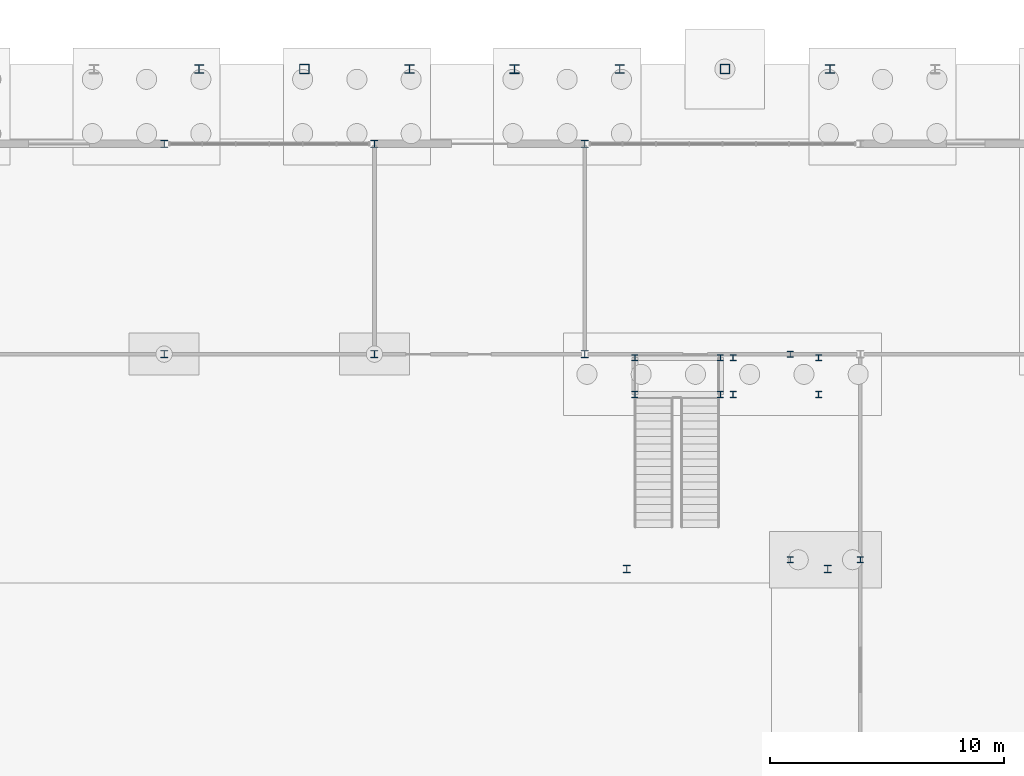
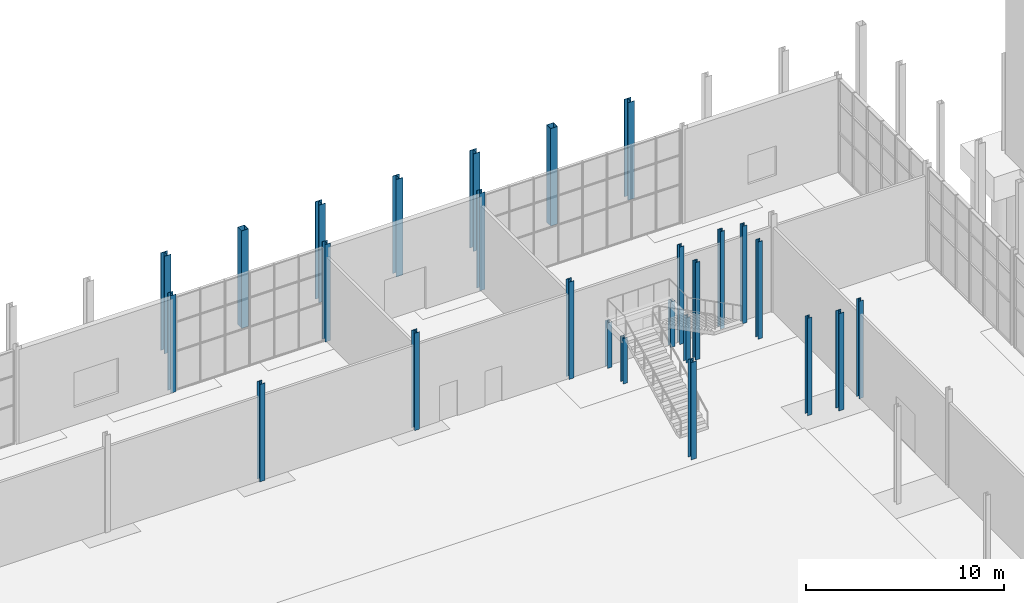
# One storey, part 33 of 131: 26 columns.
"""IFC4 building model written with IfcOpenShell, lengths in metres."""

from ifc_helpers import new_model, si_unit, direction, frame, origin, origin_2d, place, context, subcontext, project, spatial, hollow_rectangle, i_section, extrude, material, material_profile, profile_set, type_object, element, save


model = new_model("IFC4")

# Units and contexts
model_context = context("Model", 3, precision=1e-05, world=origin(), true_north=direction((0.0, 1.0)))
body_context = subcontext(model_context, "Body", "Model", "MODEL_VIEW")
ifc_project = project(units=[si_unit("LENGTHUNIT", "METRE"), si_unit("AREAUNIT", "SQUARE_METRE"), si_unit("VOLUMEUNIT", "CUBIC_METRE"), si_unit("PLANEANGLEUNIT", "RADIAN"), si_unit("MASSUNIT", "GRAM", prefix="KILO")], contexts=[model_context])

# Site, building, storey
site_placement = place(None, origin())
site = spatial("IfcSite", under=ifc_project, at=site_placement, CompositionType="ELEMENT")
building_placement = place(site_placement, origin())
building = spatial("IfcBuilding", under=site, at=building_placement, Name="Cazmaro Siding Exhibition Halls", CompositionType="ELEMENT")
storey_placement = place(building_placement, origin())
storey = spatial("IfcBuildingStorey", under=building, at=storey_placement, Name="L00", CompositionType="ELEMENT", Elevation=0.0)

# Columns
ifc_material_1 = material(Name="Steel ASTM A992 Grade 50", Category="steel")
ifc_material_profile_1 = material_profile(ifc_material_1, i_section(OverallWidth=0.39208984375, OverallDepth=0.3759765625, WebThickness=0.01708984375, FlangeThickness=0.028076171875, at=origin_2d()), Name="W14X145")
ifc_profile_set_1 = profile_set([ifc_material_profile_1], Name="Steel ASTM A992 Grade 50")
column_type_1 = type_object("IfcColumnType", Name="C-03", PredefinedType="COLUMN", material=ifc_profile_set_1)
for number, where, z_axis, x_axis, name in (
    (1, (130.5, 124.0, 0.0), (0.0, 0.0, 1.0), (1.0, 0.0, 0.0), "Column C-03 COL-0118"),
    (2, (139.5, 124.0, 0.0), (0.0, 0.0, 1.0), (1.0, 0.0, 0.0), "Column C-03 COL-0130"),
    (3, (148.5, 124.0, 0.0), (0.0, 0.0, 1.0), (1.0, 0.0, 0.0), "Column C-03 COL-0142"),
    (4, (157.5, 124.0, 0.0), (0.0, 0.0, 1.0), (1.0, 0.0, 0.0), "Column C-03 COL-0154"),
):
    element("IfcColumn", number, at=place(storey_placement, frame(where, z_axis=z_axis, x_axis=x_axis)), inside=storey, type_object=column_type_1, Name=name, PredefinedType="COLUMN", context=body_context, shape_type="SweptSolid", body=[
        extrude(i_section(OverallWidth=0.39208984375, OverallDepth=0.3759765625, WebThickness=0.01708984375, FlangeThickness=0.028076171875, at=origin_2d()), origin(), (0.0, 0.0, 1.0), 6.0),
    ])
ifc_material_2 = material(Name="Steel ASTM A992 Grade 50", Category="steel")
ifc_material_profile_2 = material_profile(ifc_material_2, i_section(OverallWidth=0.304931640625, OverallDepth=0.306884765625, WebThickness=0.010009765625, FlangeThickness=0.014892578125, at=origin_2d()), Name="W12X65")
ifc_profile_set_2 = profile_set([ifc_material_profile_2], Name="Steel ASTM A992 Grade 50")
column_type_2 = type_object("IfcColumnType", Name="C-06", PredefinedType="COLUMN", material=ifc_profile_set_2)
for number, where, z_axis, x_axis, name in (
    (5, (129.0, 111.800048828125, 0.0), (0.0, 0.0, 1.0), (1.0, 0.0, 0.0), "Column C-06 COL-0350"),
    (6, (129.0, 120.800048828125, 0.0), (0.0, 0.0, 1.0), (1.0, 0.0, 0.0), "Column C-06 COL-0352"),
    (7, (138.0, 111.800048828125, 0.0), (0.0, 0.0, 1.0), (1.0, 0.0, 0.0), "Column C-06 COL-0360"),
    (8, (138.0, 120.800048828125, 0.0), (0.0, 0.0, 1.0), (1.0, 0.0, 0.0), "Column C-06 COL-0362"),
    (9, (147.0, 111.800048828125, 0.0), (0.0, 0.0, 1.0), (1.0, 0.0, 0.0), "Column C-06 COL-0370"),
    (10, (147.0, 120.800048828125, 0.0), (0.0, 0.0, 1.0), (1.0, 0.0, 0.0), "Column C-06 COL-0372"),
):
    element("IfcColumn", number, at=place(storey_placement, frame(where, z_axis=z_axis, x_axis=x_axis)), inside=storey, type_object=column_type_2, Name=name, PredefinedType="COLUMN", context=body_context, shape_type="SweptSolid", body=[
        extrude(i_section(OverallWidth=0.304931640625, OverallDepth=0.306884765625, WebThickness=0.010009765625, FlangeThickness=0.014892578125, at=origin_2d()), origin(), (0.0, 0.0, 1.0), 6.0),
    ])
ifc_material_3 = material(Name="Steel ASTM A992 Grade 50", Category="steel")
ifc_material_profile_3 = material_profile(ifc_material_3, i_section(OverallWidth=0.39892578125, OverallDepth=0.386962890625, WebThickness=0.02099609375, FlangeThickness=0.032958984375, at=origin_2d()), Name="W14X176")
ifc_profile_set_3 = profile_set([ifc_material_profile_3], Name="Steel ASTM A992 Grade 50")
column_type_3 = type_object("IfcColumnType", Name="C-11", PredefinedType="COLUMN", material=ifc_profile_set_3)
column_placement = place(storey_placement, frame((144.0, 124.0, 0.0), z_axis=(0.0, 0.0, 1.0), x_axis=(1.0, 0.0, 0.0)))
element("IfcColumn", 11, at=column_placement, inside=storey, type_object=column_type_3, Name="Column C-11 COL-0136", PredefinedType="COLUMN", context=body_context, shape_type="SweptSolid", body=[
    extrude(i_section(OverallWidth=0.39892578125, OverallDepth=0.386962890625, WebThickness=0.02099609375, FlangeThickness=0.032958984375, at=origin_2d()), origin(), (0.0, 0.0, 1.0), 6.0),
])
ifc_material_4 = material(Name="Steel ASTM A992 Grade 50", Category="steel")
ifc_material_profile_4 = material_profile(ifc_material_4, i_section(OverallWidth=0.30908203125, OverallDepth=0.320068359375, WebThickness=0.013916015625, FlangeThickness=0.02294921875, at=origin_2d()), Name="W12X96")
ifc_profile_set_4 = profile_set([ifc_material_profile_4], Name="Steel ASTM A992 Grade 50")
column_type_4 = type_object("IfcColumnType", Name="C-13", PredefinedType="COLUMN", material=ifc_profile_set_4)
for number, where, z_axis, x_axis, name in (
    (12, (148.800048828125, 102.60009765625, 0.0), (0.0, 0.0, 1.0), (1.0, 0.0, 0.0), "Column C-13 COL-1201"),
    (13, (157.39990234375, 102.60009765625, 0.0), (0.0, 0.0, 1.0), (1.0, 0.0, 0.0), "Column C-13 COL-1203"),
):
    element("IfcColumn", number, at=place(storey_placement, frame(where, z_axis=z_axis, x_axis=x_axis)), inside=storey, type_object=column_type_4, Name=name, PredefinedType="COLUMN", context=body_context, shape_type="SweptSolid", body=[
        extrude(i_section(OverallWidth=0.30908203125, OverallDepth=0.320068359375, WebThickness=0.013916015625, FlangeThickness=0.02294921875, at=origin_2d()), origin(), (0.0, 0.0, 1.0), 6.0),
    ])
ifc_material_5 = material(Name="Steel ASTM A992 Grade 50", Category="steel")
ifc_material_profile_5 = material_profile(ifc_material_5, i_section(OverallWidth=0.257080078125, OverallDepth=0.263916015625, WebThickness=0.011962890625, FlangeThickness=0.02001953125, at=origin_2d()), Name="W10X68")
ifc_profile_set_5 = profile_set([ifc_material_profile_5], Name="Steel ASTM A992 Grade 50")
column_type_5 = type_object("IfcColumnType", Name="C-14", PredefinedType="COLUMN", material=ifc_profile_set_5)
for number, where, z_axis, x_axis, name in (
    (14, (155.800048828125, 103.0, 0.0), (0.0, 0.0, 1.0), (1.0, 0.0, 0.0), "Column C-14 COL-0426"),
    (15, (158.800048828125, 103.0, 0.0), (0.0, 0.0, 1.0), (1.0, 0.0, 0.0), "Column C-14 COL-0435"),
    (16, (155.800048828125, 111.800048828125, 0.0), (0.0, 0.0, 1.0), (1.0, 0.0, 0.0), "Column C-14 COL-0455"),
):
    element("IfcColumn", number, at=place(storey_placement, frame(where, z_axis=z_axis, x_axis=x_axis)), inside=storey, type_object=column_type_5, Name=name, PredefinedType="COLUMN", context=body_context, shape_type="SweptSolid", body=[
        extrude(i_section(OverallWidth=0.257080078125, OverallDepth=0.263916015625, WebThickness=0.011962890625, FlangeThickness=0.02001953125, at=origin_2d()), origin(), (0.0, 0.0, 1.0), 6.0),
    ])
for number, where, z_axis, x_axis, name in (
    (17, (149.14990234375, 110.070068359375, 0.0), (0.0, 0.0, 1.0), (1.0, 0.0, 0.0), "Column C-14 COL-1165"),
    (18, (149.14990234375, 111.64990234375, 0.0), (0.0, 0.0, 1.0), (1.0, 0.0, 0.0), "Column C-14 COL-1166"),
    (19, (152.81005859375, 110.070068359375, 0.0), (0.0, 0.0, 1.0), (1.0, 0.0, 0.0), "Column C-14 COL-1167"),
    (20, (152.81005859375, 111.64990234375, 0.0), (0.0, 0.0, 1.0), (1.0, 0.0, 0.0), "Column C-14 COL-1168"),
):
    element("IfcColumn", number, at=place(storey_placement, frame(where, z_axis=z_axis, x_axis=x_axis)), inside=storey, type_object=column_type_5, Name=name, PredefinedType="COLUMN", context=body_context, shape_type="SweptSolid", body=[
        extrude(i_section(OverallWidth=0.257080078125, OverallDepth=0.263916015625, WebThickness=0.011962890625, FlangeThickness=0.02001953125, at=origin_2d()), origin(), (0.0, 0.0, 1.0), 2.800048828125),
    ])
for number, where, z_axis, x_axis, name in (
    (21, (153.35009765625, 110.070068359375, 0.0), (0.0, 0.0, 1.0), (1.0, 0.0, 0.0), "Column C-14 COL-1169"),
    (22, (153.35009765625, 111.64990234375, 0.0), (0.0, 0.0, 1.0), (1.0, 0.0, 0.0), "Column C-14 COL-1171"),
    (23, (157.010009765625, 110.070068359375, 0.0), (0.0, 0.0, 1.0), (1.0, 0.0, 0.0), "Column C-14 COL-1173"),
    (24, (157.010009765625, 111.64990234375, 0.0), (0.0, 0.0, 1.0), (1.0, 0.0, 0.0), "Column C-14 COL-1175"),
):
    element("IfcColumn", number, at=place(storey_placement, frame(where, z_axis=z_axis, x_axis=x_axis)), inside=storey, type_object=column_type_5, Name=name, PredefinedType="COLUMN", context=body_context, shape_type="SweptSolid", body=[
        extrude(i_section(OverallWidth=0.257080078125, OverallDepth=0.263916015625, WebThickness=0.011962890625, FlangeThickness=0.02001953125, at=origin_2d()), origin(), (0.0, 0.0, 1.0), 6.0),
    ])
ifc_material_6 = material(Name="Steel ASTM A500 Grade C", Category="steel")
ifc_material_profile_6 = material_profile(ifc_material_6, hollow_rectangle(XDim=0.406005859375, YDim=0.406005859375, WallThickness=0.014892578125, at=origin_2d()), Name="HSS16X16X5/8")
ifc_profile_set_6 = profile_set([ifc_material_profile_6], Name="Steel ASTM A500 Grade C")
column_type_6 = type_object("IfcColumnType", Name="PL-01", PredefinedType="PILASTER", material=ifc_profile_set_6)
for number, where, z_axis, x_axis, name in (
    (25, (135.0, 124.0, 0.0), (0.0, 0.0, 1.0), (1.0, 0.0, 0.0), "Column PL-01 COL-0124"),
    (26, (153.0, 124.0, 0.0), (0.0, 0.0, 1.0), (1.0, 0.0, 0.0), "Column PL-01 COL-0148"),
):
    element("IfcColumn", number, at=place(storey_placement, frame(where, z_axis=z_axis, x_axis=x_axis)), inside=storey, type_object=column_type_6, Name=name, PredefinedType="PILASTER", context=body_context, shape_type="SweptSolid", body=[
        extrude(hollow_rectangle(XDim=0.406005859375, YDim=0.406005859375, WallThickness=0.014892578125, at=origin_2d()), origin(), (0.0, 0.0, 1.0), 6.0),
    ])

save(model, "model.ifc")
